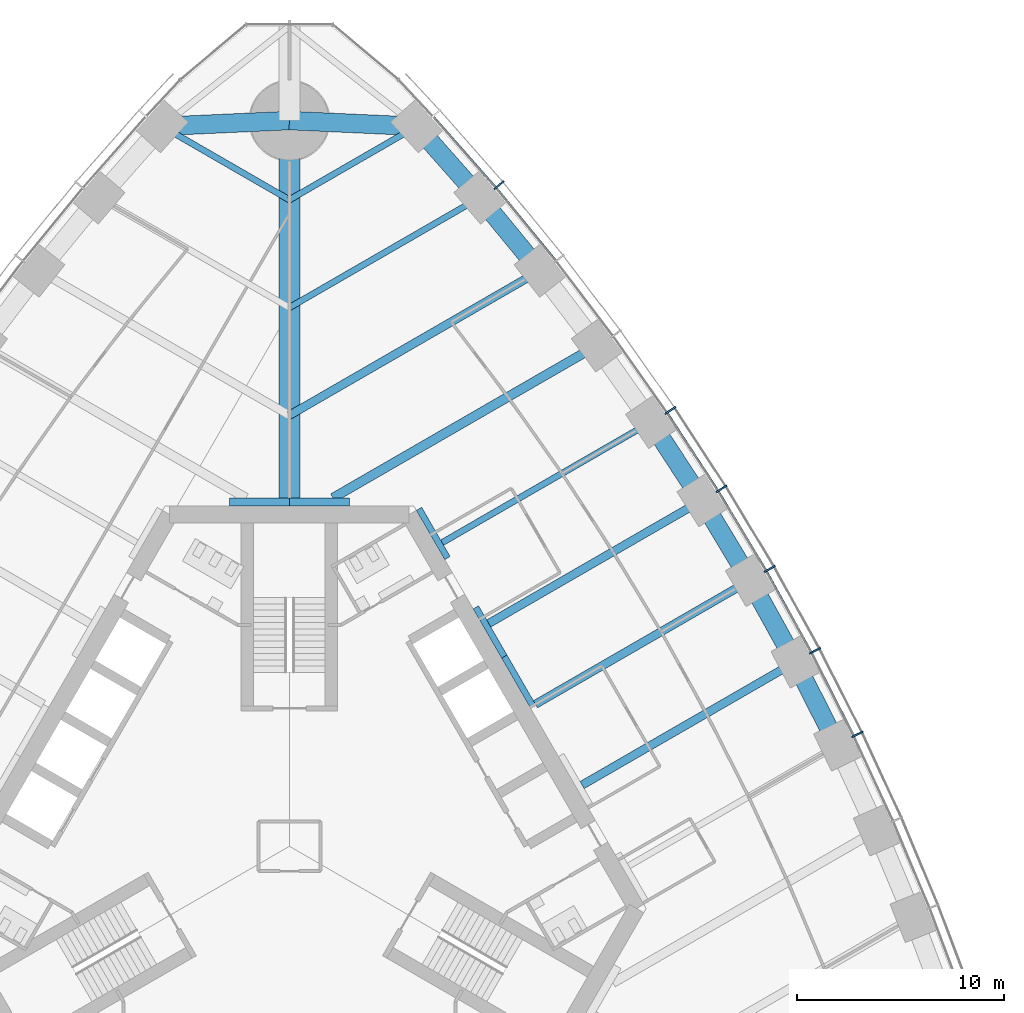
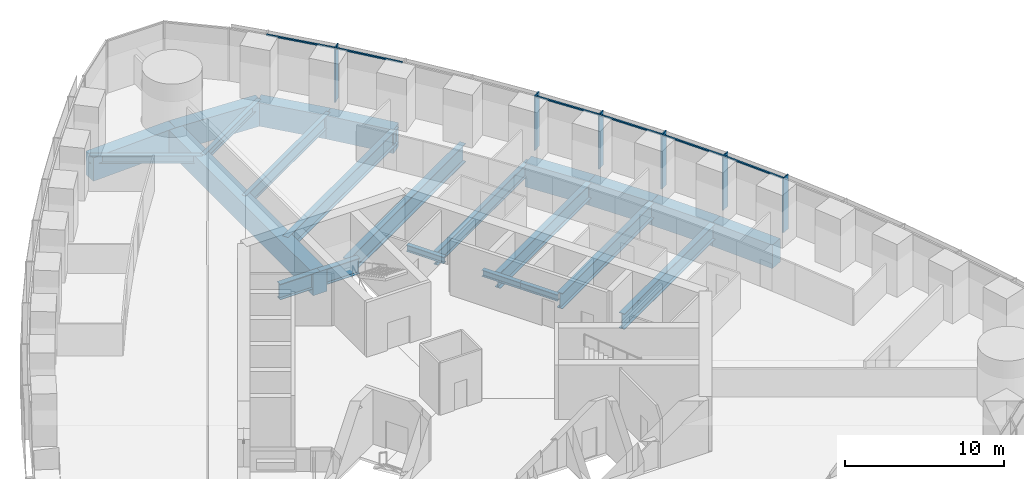
# One storey, part 5 of 18: 23 beams, 12 members, 1 element without a shape of its own.
"""IFC4 building model written with IfcOpenShell, lengths in metres."""

from ifc_helpers import new_model, si_unit, direction, frame, origin, origin_2d, place, context, subcontext, project, spatial, rectangle, i_section, extrude, material, material_profile, profile_set, type_object, element, aggregate, save


model = new_model("IFC4")

# Units and contexts
model_context = context("Model", 3, precision=1e-05, world=origin(), true_north=direction((0.0, 1.0)))
body_context = subcontext(model_context, "Body", "Model", "MODEL_VIEW")
ifc_project = project(units=[si_unit("LENGTHUNIT", "METRE"), si_unit("AREAUNIT", "SQUARE_METRE"), si_unit("VOLUMEUNIT", "CUBIC_METRE"), si_unit("PLANEANGLEUNIT", "RADIAN"), si_unit("MASSUNIT", "GRAM", prefix="KILO")], contexts=[model_context])

# Site, building, storey
site_placement = place(None, origin())
site = spatial("IfcSite", under=ifc_project, at=site_placement, CompositionType="ELEMENT")
building_placement = place(site_placement, origin())
building = spatial("IfcBuilding", under=site, at=building_placement, Name="Trefoil Bronze Tower", CompositionType="ELEMENT")
storey_placement = place(building_placement, frame((0.0, 0.0, 170.300048828125)))
storey = spatial("IfcBuildingStorey", under=building, at=storey_placement, Name="L39", CompositionType="ELEMENT", Elevation=170.300048828125)

# Curtain wall, members
ifc_material_1 = material(Name="Tinted solar-control glass", Category="glass")
curtain_wall_type = type_object("IfcCurtainWallType", Name="Bronze office curtain wall", PredefinedType="USERDEFINED", material=ifc_material_1)
curtain_wall_placement = place(storey_placement, origin())
curtain_wall = element("IfcCurtainWall", 1, at=curtain_wall_placement, inside=storey, type_object=curtain_wall_type, Name="CW-A L39 F2", ObjectType="CURTAIN WALL", PredefinedType="USERDEFINED")
ifc_material_2 = material(Name="Bronze-finish aluminium", Category="aluminium")
ifc_material_profile_1 = material_profile(ifc_material_2, rectangle(XDim=0.60009765625, YDim=0.080078125, at=origin_2d()), Name="CW-A mullion")
ifc_profile_set_1 = profile_set([ifc_material_profile_1], Name="Bronze-finish aluminium")
member_type_1 = type_object("IfcMemberType", Name="Bronze office curtain wall mullion", PredefinedType="MULLION", material=ifc_profile_set_1)
member_1_placement = place(storey_placement, frame((27.394775390625, 5.399169921875, 0.0), z_axis=(0.0, 0.0, 1.0), x_axis=(-0.899819602033, -0.436262173236, 0.0)))
member_1 = element("IfcMember", 2, at=member_1_placement, type_object=member_type_1, Name="CW-A L39 F2 mullion 6", PredefinedType="MULLION", context=body_context, shape_type="SweptSolid", body=[
    extrude(rectangle(XDim=0.60009765625, YDim=0.080078125, at=origin_2d()), origin(), (0.0, 0.0, 1.0), 4.179931640625),
])
member_2_placement = place(storey_placement, frame((25.350830078125, 9.427734375, 0.0), z_axis=(0.0, 0.0, 1.0), x_axis=(-0.883486441467, -0.468456729853, 0.0)))
member_2 = element("IfcMember", 3, at=member_2_placement, type_object=member_type_1, Name="CW-A L39 F2 mullion 7", PredefinedType="MULLION", context=body_context, shape_type="SweptSolid", body=[
    extrude(rectangle(XDim=0.60009765625, YDim=0.080078125, at=origin_2d()), origin(), (0.0, 0.0, 1.0), 4.179931640625),
])
member_3_placement = place(storey_placement, frame((23.166015625, 13.374755859375, 0.0), z_axis=(0.0, 0.0, 1.0), x_axis=(-0.866025403784, -0.5, 0.0)))
member_3 = element("IfcMember", 4, at=member_3_placement, type_object=member_type_1, Name="CW-A L39 F2 mullion 8", PredefinedType="MULLION", context=body_context, shape_type="SweptSolid", body=[
    extrude(rectangle(XDim=0.60009765625, YDim=0.080078125, at=origin_2d()), origin(), (0.0, 0.0, 1.0), 4.179931640625),
])
member_4_placement = place(storey_placement, frame((20.840087890625, 17.24072265625, 0.0), z_axis=(0.0, 0.0, 1.0), x_axis=(-0.84743864936, -0.530893337283, 0.0)))
member_4 = element("IfcMember", 5, at=member_4_placement, type_object=member_type_1, Name="CW-A L39 F2 mullion 9", PredefinedType="MULLION", context=body_context, shape_type="SweptSolid", body=[
    extrude(rectangle(XDim=0.60009765625, YDim=0.080078125, at=origin_2d()), origin(), (0.0, 0.0, 1.0), 4.179931640625),
])
member_5_placement = place(storey_placement, frame((18.373046875, 21.025146484375, 0.0), z_axis=(0.0, 0.0, 1.0), x_axis=(-0.827723925749, -0.561135547566, 0.0)))
member_5 = element("IfcMember", 6, at=member_5_placement, type_object=member_type_1, Name="CW-A L39 F2 mullion 10", PredefinedType="MULLION", context=body_context, shape_type="SweptSolid", body=[
    extrude(rectangle(XDim=0.60009765625, YDim=0.080078125, at=origin_2d()), origin(), (0.0, 0.0, 1.0), 4.179931640625),
])
member_6_placement = place(storey_placement, frame((10.11474609375, 31.8828125, 0.0), z_axis=(0.0, 0.0, 1.0), x_axis=(-0.761721651066, -0.647904411389, 0.0)))
member_6 = element("IfcMember", 7, at=member_6_placement, type_object=member_type_1, Name="CW-A L39 F2 mullion 13", PredefinedType="MULLION", context=body_context, shape_type="SweptSolid", body=[
    extrude(rectangle(XDim=0.60009765625, YDim=0.080078125, at=origin_2d()), origin(), (0.0, 0.0, 1.0), 4.179931640625),
])
ifc_material_3 = material(Name="Bronze-finish aluminium", Category="aluminium")
ifc_material_profile_2 = material_profile(ifc_material_3, rectangle(XDim=0.1201171875, YDim=0.10009765625, at=origin_2d()), Name="CW-A transom")
ifc_profile_set_2 = profile_set([ifc_material_profile_2], Name="Bronze-finish aluminium")
member_type_2 = type_object("IfcMemberType", Name="Bronze office curtain wall transom", PredefinedType="USERDEFINED", material=ifc_profile_set_2)
member_7_placement = place(storey_placement, frame((27.196044921875, 5.34912109375, 4.1298828125), z_axis=(-0.452478489814, 0.891775317138, 0.0), x_axis=(-0.891775317138, -0.452478489814, 0.0)))
member_7 = element("IfcMember", 8, at=member_7_placement, type_object=member_type_2, Name="CW-A L39 F2 transom 6", ObjectType="TRANSOM", PredefinedType="USERDEFINED", context=body_context, shape_type="SweptSolid", body=[
    extrude(rectangle(XDim=0.1201171875, YDim=0.10009765625, at=origin_2d()), origin(), (0.0, 0.0, 1.0), 4.426513671875),
])
member_8_placement = place(storey_placement, frame((25.154052734375, 9.37060546875, 4.1298828125), z_axis=(-0.484329470343, 0.874885686337, 0.0), x_axis=(-0.874885686337, -0.484329470343, 0.0)))
member_8 = element("IfcMember", 9, at=member_8_placement, type_object=member_type_2, Name="CW-A L39 F2 transom 7", ObjectType="TRANSOM", PredefinedType="USERDEFINED", context=body_context, shape_type="SweptSolid", body=[
    extrude(rectangle(XDim=0.1201171875, YDim=0.10009765625, at=origin_2d()), origin(), (0.0, 0.0, 1.0), 4.4208984375),
])
member_9_placement = place(storey_placement, frame((22.97119140625, 13.310546875, 4.1298828125), z_axis=(-0.515526794174, 0.856873458854, 0.0), x_axis=(-0.856873458854, -0.515526794174, 0.0)))
member_9 = element("IfcMember", 10, at=member_9_placement, type_object=member_type_2, Name="CW-A L39 F2 transom 8", ObjectType="TRANSOM", PredefinedType="USERDEFINED", context=body_context, shape_type="SweptSolid", body=[
    extrude(rectangle(XDim=0.1201171875, YDim=0.10009765625, at=origin_2d()), origin(), (0.0, 0.0, 1.0), 4.4208984375),
])
member_10_placement = place(storey_placement, frame((20.647705078125, 17.16943359375, 4.1298828125), z_axis=(-0.546079336226, 0.837733465099, 0.0), x_axis=(-0.837733465099, -0.546079336226, 0.0)))
member_10 = element("IfcMember", 11, at=member_10_placement, type_object=member_type_2, Name="CW-A L39 F2 transom 9", ObjectType="TRANSOM", PredefinedType="USERDEFINED", context=body_context, shape_type="SweptSolid", body=[
    extrude(rectangle(XDim=0.1201171875, YDim=0.10009765625, at=origin_2d()), origin(), (0.0, 0.0, 1.0), 4.426513671875),
])
member_11_placement = place(storey_placement, frame((12.82861328125, 28.255615234375, 4.1298828125), z_axis=(-0.633848872297, 0.773456919995, 0.0), x_axis=(-0.773456919995, -0.633848872297, 0.0)))
member_11 = element("IfcMember", 12, at=member_11_placement, type_object=member_type_2, Name="CW-A L39 F2 transom 12", ObjectType="TRANSOM", PredefinedType="USERDEFINED", context=body_context, shape_type="SweptSolid", body=[
    extrude(rectangle(XDim=0.1201171875, YDim=0.10009765625, at=origin_2d()), origin(), (0.0, 0.0, 1.0), 4.480224609375),
])
member_12_placement = place(storey_placement, frame((9.9345703125, 31.78466796875, 4.1298828125), z_axis=(-0.66173618877, 0.749736764786, 0.0), x_axis=(-0.749736764786, -0.66173618877, 0.0)))
member_12 = element("IfcMember", 13, at=member_12_placement, type_object=member_type_2, Name="CW-A L39 F2 transom 13", ObjectType="TRANSOM", PredefinedType="USERDEFINED", context=body_context, shape_type="SweptSolid", body=[
    extrude(rectangle(XDim=0.1201171875, YDim=0.10009765625, at=origin_2d()), origin(), (0.0, 0.0, 1.0), 4.510986328125),
])
aggregate(curtain_wall, [member_1, member_2, member_3, member_4, member_5, member_6, member_7, member_8, member_9, member_10, member_11, member_12])

# Beams
ifc_material_4 = material(Name="Steel C355", Category="steel")
ifc_material_profile_3 = material_profile(ifc_material_4, i_section(OverallWidth=0.300048828125, OverallDepth=0.5, WebThickness=0.014404296875, FlangeThickness=0.028076171875, FilletRadius=0.027099609375, at=origin_2d()), Name="HEB 500")
ifc_profile_set_3 = profile_set([ifc_material_profile_3], Name="Steel C355")
beam_type_1 = type_object("IfcBeamType", Name="Core seat beam HEB 500", PredefinedType="BEAM", material=ifc_profile_set_3)
for number, where, z_axis, x_axis, name in (
    (14, (11.734619140625, 6.77490234375, -0.449951171875), (-0.499969057507, 0.866043267704, 0.0), (-0.866043267704, -0.499969057507, 0.0), "Core seat beam F2/+0 L39"),
    (15, (10.363525390625, 9.14990234375, -0.449951171875), (-0.500035825175, 0.866004719122, 0.0), (-0.866004719122, -0.500035825175, 0.0), "Core seat beam F2/+1 L39"),
    (16, (7.62109375, 13.89990234375, -0.449951171875), (-0.500035825175, 0.866004719122, 0.0), (-0.866004719122, -0.500035825175, 0.0), "Core seat beam F2/+2 L39"),
):
    element("IfcBeam", number, at=place(storey_placement, frame(where, z_axis=z_axis, x_axis=x_axis)), inside=storey, type_object=beam_type_1, Name=name, PredefinedType="BEAM", context=body_context, shape_type="SweptSolid", body=[
        extrude(i_section(OverallWidth=0.300048828125, OverallDepth=0.5, WebThickness=0.014404296875, FlangeThickness=0.028076171875, FilletRadius=0.027099609375, at=origin_2d()), origin(), (0.0, 0.0, 1.0), 2.742431640625),
    ])
ifc_material_5 = material(Name="Steel C355", Category="steel")
ifc_material_profile_4 = material_profile(ifc_material_5, i_section(OverallWidth=0.39990234375, OverallDepth=1.199951171875, WebThickness=0.02001953125, FlangeThickness=0.0400390625, FilletRadius=0.010009765625, at=origin_2d()), Name="WPG 1200")
ifc_profile_set_4 = profile_set([ifc_material_profile_4], Name="Steel C355")
beam_type_2 = type_object("IfcBeamType", Name="Core seat beam WPG 1200", PredefinedType="BEAM", material=ifc_profile_set_4)
for number, where, z_axis, x_axis, name in (
    (17, (2.88671875, 16.60009765625, -0.800048828125), (-1.0, 0.0, 0.0), (0.0, -1.0, 0.0), "Core seat beam F2/+3 L39"),
    (18, (0.0, 16.60009765625, -0.800048828125), (-1.0, 0.0, 0.0), (0.0, -1.0, 0.0), "Core seat beam F3/-3 L39"),
):
    element("IfcBeam", number, at=place(storey_placement, frame(where, z_axis=z_axis, x_axis=x_axis)), inside=storey, type_object=beam_type_2, Name=name, PredefinedType="BEAM", context=body_context, shape_type="SweptSolid", body=[
        extrude(i_section(OverallWidth=0.39990234375, OverallDepth=1.199951171875, WebThickness=0.02001953125, FlangeThickness=0.0400390625, FilletRadius=0.010009765625, at=origin_2d()), origin(), (0.0, 0.0, 1.0), 2.88671875),
    ])
ifc_material_6 = material(Name="Concrete B80", Category="concrete")
ifc_material_profile_5 = material_profile(ifc_material_6, rectangle(XDim=1.0, YDim=1.699951171875, at=origin_2d()), Name="RC 1000x1700")
ifc_profile_set_5 = profile_set([ifc_material_profile_5], Name="Concrete B80")
beam_type_3 = type_object("IfcBeamType", Name="Corner girder RC 1000x1700", PredefinedType="BEAM", material=ifc_profile_set_5)
beam_1_placement = place(storey_placement, frame((0.0, 16.39990234375, -1.050048828125), z_axis=(0.0, 1.0, 0.0), x_axis=(-1.0, 0.0, 0.0)))
element("IfcBeam", 19, at=beam_1_placement, inside=storey, type_object=beam_type_3, Name="Corner girder K2 L39", PredefinedType="BEAM", context=body_context, shape_type="SweptSolid", body=[
    extrude(rectangle(XDim=1.0, YDim=1.699951171875, at=origin_2d()), origin(), (0.0, 0.0, 1.0), 18.60009765625),
])
ifc_material_7 = material(Name="Concrete B80", Category="concrete")
ifc_material_profile_6 = material_profile(ifc_material_7, rectangle(XDim=0.89990234375, YDim=1.800048828125, at=origin_2d()), Name="RC 900x1800")
ifc_profile_set_6 = profile_set([ifc_material_profile_6], Name="Concrete B80")
beam_type_4 = type_object("IfcBeamType", Name="End spandrel beam RC 900x1800", PredefinedType="SPANDREL", material=ifc_profile_set_6)
for number, where, z_axis, x_axis, name in (
    (20, (6.13916015625, 34.72119140625, -1.10009765625), (-0.998970341464, 0.045368015985, 0.0), (-0.045368015985, -0.998970341464, 0.0), "Spandrel F2.14 L39"),
    (21, (0.0, 35.0, -1.10009765625), (-0.998970341464, -0.045368015985, 0.0), (0.045368015985, -0.998970341464, 0.0), "Spandrel F3.1 L39"),
):
    element("IfcBeam", number, at=place(storey_placement, frame(where, z_axis=z_axis, x_axis=x_axis)), inside=storey, type_object=beam_type_4, Name=name, PredefinedType="SPANDREL", context=body_context, shape_type="SweptSolid", body=[
        extrude(rectangle(XDim=0.89990234375, YDim=1.800048828125, at=origin_2d()), origin(), (0.0, 0.0, 1.0), 6.1455078125),
    ])
ifc_material_8 = material(Name="Steel C355", Category="steel")
ifc_material_profile_7 = material_profile(ifc_material_8, i_section(OverallWidth=0.300048828125, OverallDepth=1.0, WebThickness=0.01904296875, FlangeThickness=0.035888671875, FilletRadius=0.030029296875, at=origin_2d()), Name="HEB 1000")
ifc_profile_set_7 = profile_set([ifc_material_profile_7], Name="Steel C355")
beam_type_5 = type_object("IfcBeamType", Name="Floor beam HEB 1000", PredefinedType="BEAM", material=ifc_profile_set_7)
beam_2_placement = place(storey_placement, frame((9.181884765625, 31.281982421875, -0.699951171875), z_axis=(-0.866021079084, -0.500007490527, 0.0), x_axis=(0.500007490527, -0.866021079084, 0.0)))
element("IfcBeam", 22, at=beam_2_placement, inside=storey, type_object=beam_type_5, Name="Floor beam F2/+5 L39", PredefinedType="BEAM", context=body_context, shape_type="SweptSolid", body=[
    extrude(i_section(OverallWidth=0.300048828125, OverallDepth=1.0, WebThickness=0.01904296875, FlangeThickness=0.035888671875, FilletRadius=0.030029296875, at=origin_2d()), origin(), (0.0, 0.0, 1.0), 10.602294921875),
])
ifc_material_9 = material(Name="Steel C355", Category="steel")
ifc_material_profile_8 = material_profile(ifc_material_9, i_section(OverallWidth=0.300048828125, OverallDepth=0.60009765625, WebThickness=0.015380859375, FlangeThickness=0.030029296875, FilletRadius=0.027099609375, at=origin_2d()), Name="HEB 600")
ifc_profile_set_8 = profile_set([ifc_material_profile_8], Name="Steel C355")
beam_type_6 = type_object("IfcBeamType", Name="Floor beam HEB 600", PredefinedType="BEAM", material=ifc_profile_set_8)
for number, where, z_axis, x_axis, name in (
    (23, (6.13916015625, 34.72119140625, -0.5), (-0.866041060244, -0.499972881236, 0.0), (0.499972881236, -0.866041060244, 0.0), "Floor beam F2/+6 L39"),
    (24, (-6.13916015625, 34.72119140625, -0.5), (0.866041060244, -0.499972881236, 0.0), (0.499972881236, 0.866041060244, 0.0), "Floor beam F3/-6 L39"),
):
    element("IfcBeam", number, at=place(storey_placement, frame(where, z_axis=z_axis, x_axis=x_axis)), inside=storey, type_object=beam_type_6, Name=name, PredefinedType="BEAM", context=body_context, shape_type="SweptSolid", body=[
        extrude(i_section(OverallWidth=0.300048828125, OverallDepth=0.60009765625, WebThickness=0.015380859375, FlangeThickness=0.030029296875, FilletRadius=0.027099609375, at=origin_2d()), origin(), (0.0, 0.0, 1.0), 7.0888671875),
    ])
ifc_material_10 = material(Name="Steel C355", Category="steel")
ifc_material_profile_9 = material_profile(ifc_material_10, i_section(OverallWidth=0.302001953125, OverallDepth=1.008056640625, WebThickness=0.02099609375, FlangeThickness=0.0400390625, FilletRadius=0.030029296875, at=origin_2d()), Name="HEM 1000")
ifc_profile_set_9 = profile_set([ifc_material_profile_9], Name="Steel C355")
beam_type_7 = type_object("IfcBeamType", Name="Floor beam HEM 1000", PredefinedType="BEAM", material=ifc_profile_set_9)
beam_3_placement = place(storey_placement, frame((17.43017578125, 20.45556640625, -0.7041015625), z_axis=(-0.866030626868, -0.499990953245, 0.0), x_axis=(0.499990953245, -0.866030626868, 0.0)))
element("IfcBeam", 25, at=beam_3_placement, inside=storey, type_object=beam_type_7, Name="Floor beam F2/+2 L39", PredefinedType="BEAM", context=body_context, shape_type="SweptSolid", body=[
    extrude(i_section(OverallWidth=0.302001953125, OverallDepth=1.008056640625, WebThickness=0.02099609375, FlangeThickness=0.0400390625, FilletRadius=0.030029296875, at=origin_2d()), origin(), (0.0, 0.0, 1.0), 11.622802734375),
])
ifc_material_11 = material(Name="Steel C355", Category="steel")
ifc_material_profile_10 = material_profile(ifc_material_11, i_section(OverallWidth=0.39990234375, OverallDepth=1.199951171875, WebThickness=0.02001953125, FlangeThickness=0.0400390625, FilletRadius=0.010009765625, at=origin_2d()), Name="WPG 1200")
ifc_profile_set_10 = profile_set([ifc_material_profile_10], Name="Steel C355")
beam_type_8 = type_object("IfcBeamType", Name="Floor beam WPG 1200", PredefinedType="BEAM", material=ifc_profile_set_10)
beam_4_placement = place(storey_placement, frame((24.392578125, 8.886962890625, -0.800048828125), z_axis=(-0.866024236736, -0.500002021381, 0.0), x_axis=(0.500002021381, -0.866024236736, 0.0)))
element("IfcBeam", 26, at=beam_4_placement, inside=storey, type_object=beam_type_8, Name="Floor beam F2/-1 L39", PredefinedType="BEAM", context=body_context, shape_type="SweptSolid", body=[
    extrude(i_section(OverallWidth=0.39990234375, OverallDepth=1.199951171875, WebThickness=0.02001953125, FlangeThickness=0.0400390625, FilletRadius=0.010009765625, at=origin_2d()), origin(), (0.0, 0.0, 1.0), 11.8681640625),
])
beam_5_placement = place(storey_placement, frame((22.21337890625, 12.824951171875, -0.800048828125), z_axis=(-0.866028062731, -0.499995394541, 0.0), x_axis=(0.499995394541, -0.866028062731, 0.0)))
element("IfcBeam", 27, at=beam_5_placement, inside=storey, type_object=beam_type_8, Name="Floor beam F2/+0 L39", PredefinedType="BEAM", context=body_context, shape_type="SweptSolid", body=[
    extrude(i_section(OverallWidth=0.39990234375, OverallDepth=1.199951171875, WebThickness=0.02001953125, FlangeThickness=0.0400390625, FilletRadius=0.010009765625, at=origin_2d()), origin(), (0.0, 0.0, 1.0), 11.94970703125),
])
beam_6_placement = place(storey_placement, frame((19.892578125, 16.68115234375, -0.800048828125), z_axis=(-0.866024236736, -0.500002021381, 0.0), x_axis=(0.500002021381, -0.866024236736, 0.0)))
element("IfcBeam", 28, at=beam_6_placement, inside=storey, type_object=beam_type_8, Name="Floor beam F2/+1 L39", PredefinedType="BEAM", context=body_context, shape_type="SweptSolid", body=[
    extrude(i_section(OverallWidth=0.39990234375, OverallDepth=1.199951171875, WebThickness=0.02001953125, FlangeThickness=0.0400390625, FilletRadius=0.010009765625, at=origin_2d()), origin(), (0.0, 0.0, 1.0), 11.8681640625),
])
beam_7_placement = place(storey_placement, frame((12.07666015625, 27.757080078125, -0.800048828125), z_axis=(-0.866026983775, -0.499997263366, 0.0), x_axis=(0.499997263366, -0.866026983775, 0.0)))
element("IfcBeam", 29, at=beam_7_placement, inside=storey, type_object=beam_type_8, Name="Floor beam F2/+4 L39", PredefinedType="BEAM", context=body_context, shape_type="SweptSolid", body=[
    extrude(i_section(OverallWidth=0.39990234375, OverallDepth=1.199951171875, WebThickness=0.02001953125, FlangeThickness=0.0400390625, FilletRadius=0.010009765625, at=origin_2d()), origin(), (0.0, 0.0, 1.0), 13.94482421875),
])
ifc_material_12 = material(Name="Steel C355", Category="steel")
ifc_material_profile_11 = material_profile(ifc_material_12, i_section(OverallWidth=0.449951171875, OverallDepth=1.39990234375, WebThickness=0.02294921875, FlangeThickness=0.044921875, FilletRadius=0.011962890625, at=origin_2d()), Name="WPG 1400")
ifc_profile_set_11 = profile_set([ifc_material_profile_11], Name="Steel C355")
beam_type_9 = type_object("IfcBeamType", Name="Floor beam WPG 1400", PredefinedType="BEAM", material=ifc_profile_set_11)
beam_8_placement = place(storey_placement, frame((14.825439453125, 24.14794921875, -0.900146484375), z_axis=(-0.866027342682, -0.499996641717, 0.0), x_axis=(0.499996641717, -0.866027342682, 0.0)))
element("IfcBeam", 30, at=beam_8_placement, inside=storey, type_object=beam_type_9, Name="Floor beam F2/+3 L39", PredefinedType="BEAM", context=body_context, shape_type="SweptSolid", body=[
    extrude(i_section(OverallWidth=0.449951171875, OverallDepth=1.39990234375, WebThickness=0.02294921875, FlangeThickness=0.044921875, FilletRadius=0.011962890625, at=origin_2d()), origin(), (0.0, 0.0, 1.0), 14.69580078125),
])
ifc_material_13 = material(Name="Concrete B80", Category="concrete")
ifc_material_profile_12 = material_profile(ifc_material_13, rectangle(XDim=0.89990234375, YDim=1.800048828125, at=origin_2d()), Name="RC 900x1800")
ifc_profile_set_12 = profile_set([ifc_material_profile_12], Name="Concrete B80")
beam_type_10 = type_object("IfcBeamType", Name="Spandrel beam RC 900x1800", PredefinedType="SPANDREL", material=ifc_profile_set_12)
beam_9_placement = place(storey_placement, frame((26.43017578125, 4.8671875, -1.10009765625), z_axis=(-0.452125717735, 0.891954222683, 0.0), x_axis=(-0.891954222683, -0.452125717735, 0.0)))
element("IfcBeam", 31, at=beam_9_placement, inside=storey, type_object=beam_type_10, Name="Spandrel F2.6 L39", PredefinedType="SPANDREL", context=body_context, shape_type="SweptSolid", body=[
    extrude(rectangle(XDim=0.89990234375, YDim=1.800048828125, at=origin_2d()), origin(), (0.0, 0.0, 1.0), 4.506591796875),
])
for number, where, z_axis, x_axis, name in (
    (32, (24.392578125, 8.886962890625, -1.10009765625), (-0.484186866546, 0.874964615436, 0.0), (-0.874964615436, -0.484186866546, 0.0), "Spandrel F2.7 L39"),
    (33, (22.21337890625, 12.824951171875, -1.10009765625), (-0.515651979972, 0.856798129988, 0.0), (-0.856798129988, -0.515651979972, 0.0), "Spandrel F2.8 L39"),
):
    element("IfcBeam", number, at=place(storey_placement, frame(where, z_axis=z_axis, x_axis=x_axis)), inside=storey, type_object=beam_type_10, Name=name, PredefinedType="SPANDREL", context=body_context, shape_type="SweptSolid", body=[
        extrude(rectangle(XDim=0.89990234375, YDim=1.800048828125, at=origin_2d()), origin(), (0.0, 0.0, 1.0), 4.500732421875),
    ])
beam_10_placement = place(storey_placement, frame((19.892578125, 16.68115234375, -1.10009765625), z_axis=(-0.546396670296, 0.83752652417, 0.0), x_axis=(-0.83752652417, -0.546396670296, 0.0)))
element("IfcBeam", 34, at=beam_10_placement, inside=storey, type_object=beam_type_10, Name="Spandrel F2.9 L39", PredefinedType="SPANDREL", context=body_context, shape_type="SweptSolid", body=[
    extrude(rectangle(XDim=0.89990234375, YDim=1.800048828125, at=origin_2d()), origin(), (0.0, 0.0, 1.0), 4.506591796875),
])
beam_11_placement = place(storey_placement, frame((12.07666015625, 27.757080078125, -1.10009765625), z_axis=(-0.634650386838, 0.772799383079, 0.0), x_axis=(-0.772799383079, -0.634650386838, 0.0)))
element("IfcBeam", 35, at=beam_11_placement, inside=storey, type_object=beam_type_10, Name="Spandrel F2.12 L39", PredefinedType="SPANDREL", context=body_context, shape_type="SweptSolid", body=[
    extrude(rectangle(XDim=0.89990234375, YDim=1.800048828125, at=origin_2d()), origin(), (0.0, 0.0, 1.0), 4.561279296875),
])
beam_12_placement = place(storey_placement, frame((9.181884765625, 31.281982421875, -1.10009765625), z_axis=(-0.662616326239, 0.748959013699, 0.0), x_axis=(-0.748959013699, -0.662616326239, 0.0)))
element("IfcBeam", 36, at=beam_12_placement, inside=storey, type_object=beam_type_10, Name="Spandrel F2.13 L39", PredefinedType="SPANDREL", context=body_context, shape_type="SweptSolid", body=[
    extrude(rectangle(XDim=0.89990234375, YDim=1.800048828125, at=origin_2d()), origin(), (0.0, 0.0, 1.0), 4.592041015625),
])

save(model, "model.ifc")
